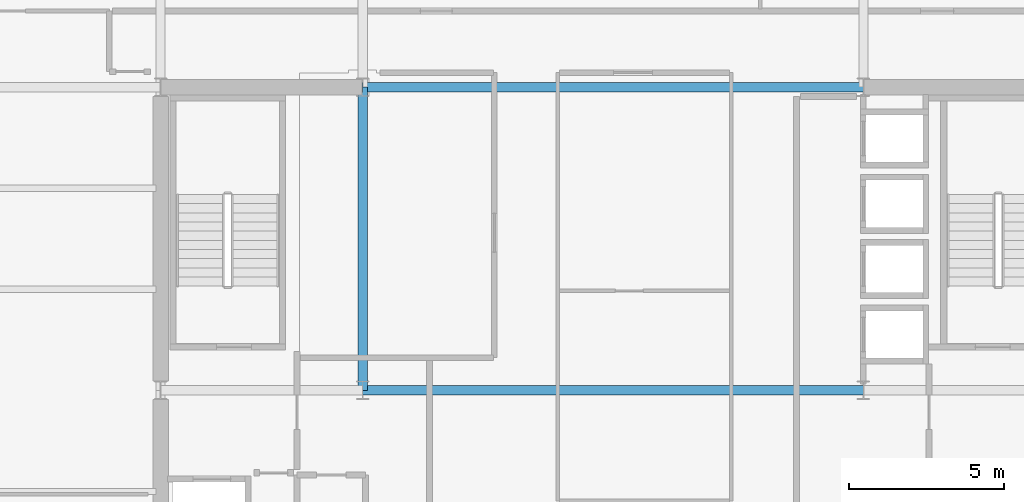
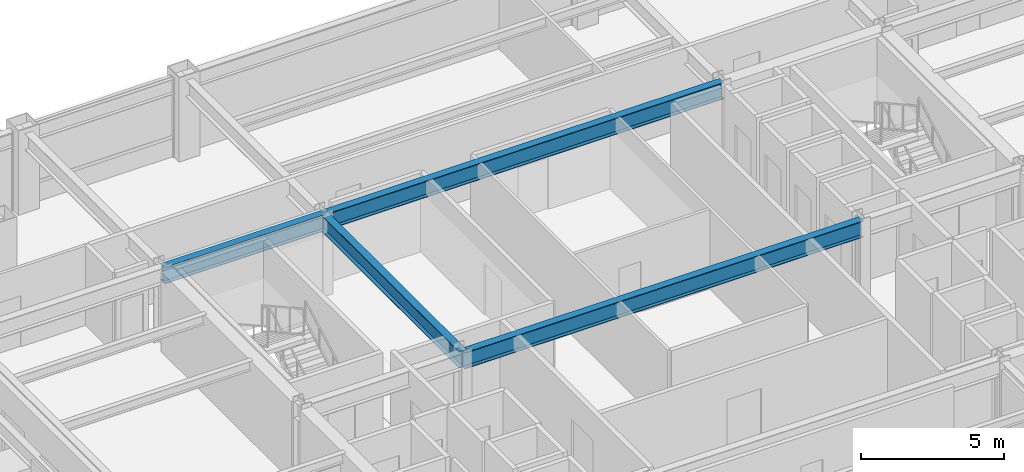
# One storey, part 10 of 29: 4 beams.
"""IFC4 building model written with IfcOpenShell, lengths in metres."""

from ifc_helpers import new_model, si_unit, direction, frame, origin, origin_2d, place, context, subcontext, project, spatial, i_section, extrude, material, material_profile, profile_set, type_object, element, save


model = new_model("IFC4")

# Units and contexts
model_context = context("Model", 3, precision=1e-05, world=origin(), true_north=direction((0.0, 1.0)))
body_context = subcontext(model_context, "Body", "Model", "MODEL_VIEW")
ifc_project = project(units=[si_unit("LENGTHUNIT", "METRE"), si_unit("AREAUNIT", "SQUARE_METRE"), si_unit("VOLUMEUNIT", "CUBIC_METRE"), si_unit("PLANEANGLEUNIT", "RADIAN"), si_unit("MASSUNIT", "GRAM", prefix="KILO")], contexts=[model_context])

# Site, building, storey
site_placement = place(None, origin())
site = spatial("IfcSite", under=ifc_project, at=site_placement, CompositionType="ELEMENT")
building_placement = place(site_placement, origin())
building = spatial("IfcBuilding", under=site, at=building_placement, Name="Brelmoor Portico Tower", CompositionType="ELEMENT")
storey_placement = place(building_placement, frame((0.0, 0.0, 95.39990234375)))
storey = spatial("IfcBuildingStorey", under=building, at=storey_placement, Name="L24", CompositionType="ELEMENT", Elevation=95.39990234375)

# Beams
ifc_material = material(Name="Steel Q355B", Category="steel")
ifc_material_profile = material_profile(ifc_material, i_section(OverallWidth=0.300048828125, OverallDepth=0.699951171875, WebThickness=0.012939453125, FlangeThickness=0.02392578125, at=origin_2d()), Name="HN 700x300x13x24")
ifc_profile_set = profile_set([ifc_material_profile], Name="Steel Q355B")
beam_type = type_object("IfcBeamType", Name="BM-PG-700", PredefinedType="BEAM", material=ifc_profile_set)
beam_1_placement = place(storey_placement, frame((-8.050048828125, 0.0, 3.050048828125), z_axis=(0.0, 1.0, 0.0), x_axis=(-1.0, 0.0, 0.0)))
element("IfcBeam", 1, at=beam_1_placement, inside=storey, type_object=beam_type, Name="L24 Primary Floor Girder PG-06", PredefinedType="BEAM", context=body_context, shape_type="SweptSolid", body=[
    extrude(i_section(OverallWidth=0.300048828125, OverallDepth=0.699951171875, WebThickness=0.012939453125, FlangeThickness=0.02392578125, at=origin_2d()), origin(), (0.0, 0.0, 1.0), 9.75),
])
beam_2_placement = place(storey_placement, frame((-8.050048828125, 0.0, 3.050048828125), z_axis=(1.0, 0.0, 0.0), x_axis=(0.0, 1.0, 0.0)))
element("IfcBeam", 2, at=beam_2_placement, inside=storey, type_object=beam_type, Name="L24 Primary Floor Girder PG-20", PredefinedType="BEAM", context=body_context, shape_type="SweptSolid", body=[
    extrude(i_section(OverallWidth=0.300048828125, OverallDepth=0.699951171875, WebThickness=0.012939453125, FlangeThickness=0.02392578125, at=origin_2d()), origin(), (0.0, 0.0, 1.0), 16.10009765625),
])
beam_3_placement = place(storey_placement, frame((-14.550048828125, 9.75, 3.050048828125), z_axis=(1.0, 0.0, 0.0), x_axis=(0.0, 1.0, 0.0)))
element("IfcBeam", 3, at=beam_3_placement, inside=storey, type_object=beam_type, Name="L24 Primary Floor Girder PG-23", PredefinedType="BEAM", context=body_context, shape_type="SweptSolid", body=[
    extrude(i_section(OverallWidth=0.300048828125, OverallDepth=0.699951171875, WebThickness=0.012939453125, FlangeThickness=0.02392578125, at=origin_2d()), origin(), (0.0, 0.0, 1.0), 6.5),
])
beam_4_placement = place(storey_placement, frame((-8.050048828125, 9.75, 3.050048828125), z_axis=(1.0, 0.0, 0.0), x_axis=(0.0, 1.0, 0.0)))
element("IfcBeam", 4, at=beam_4_placement, inside=storey, type_object=beam_type, Name="L24 Primary Floor Girder PG-24", PredefinedType="BEAM", context=body_context, shape_type="SweptSolid", body=[
    extrude(i_section(OverallWidth=0.300048828125, OverallDepth=0.699951171875, WebThickness=0.012939453125, FlangeThickness=0.02392578125, at=origin_2d()), origin(), (0.0, 0.0, 1.0), 16.10009765625),
])

save(model, "model.ifc")
